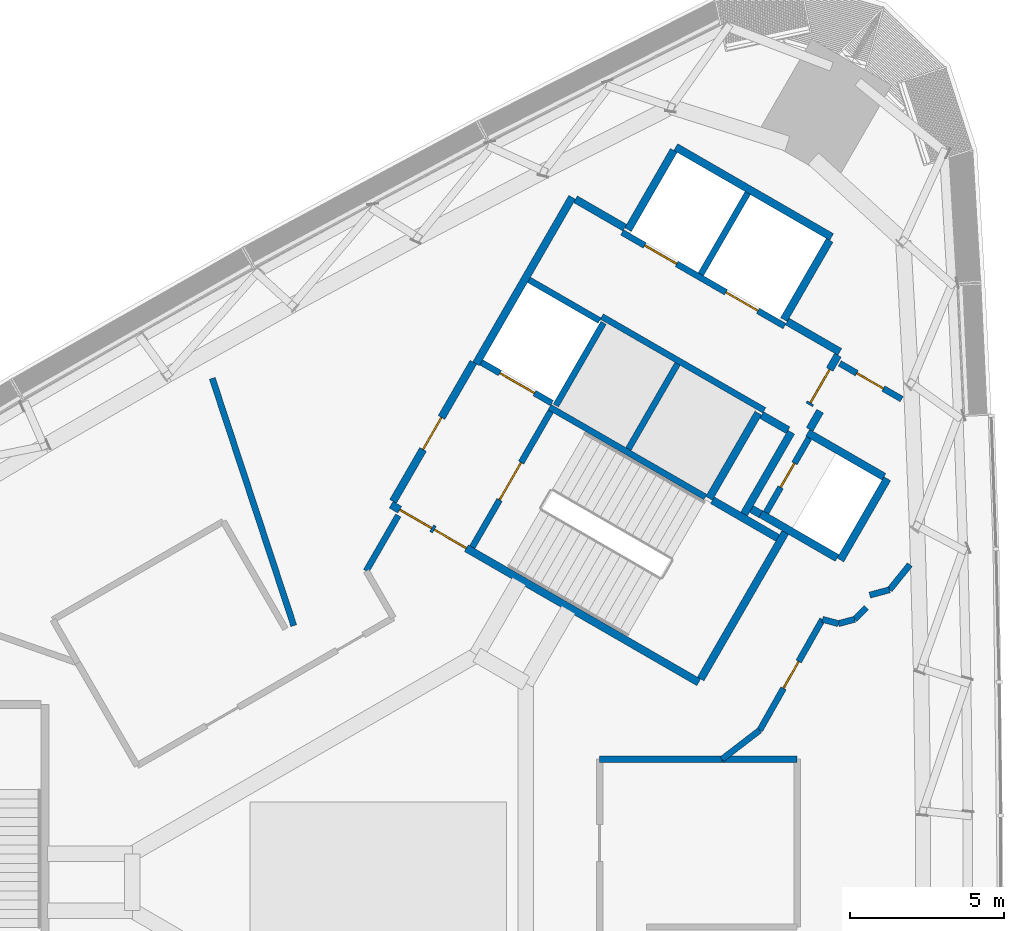
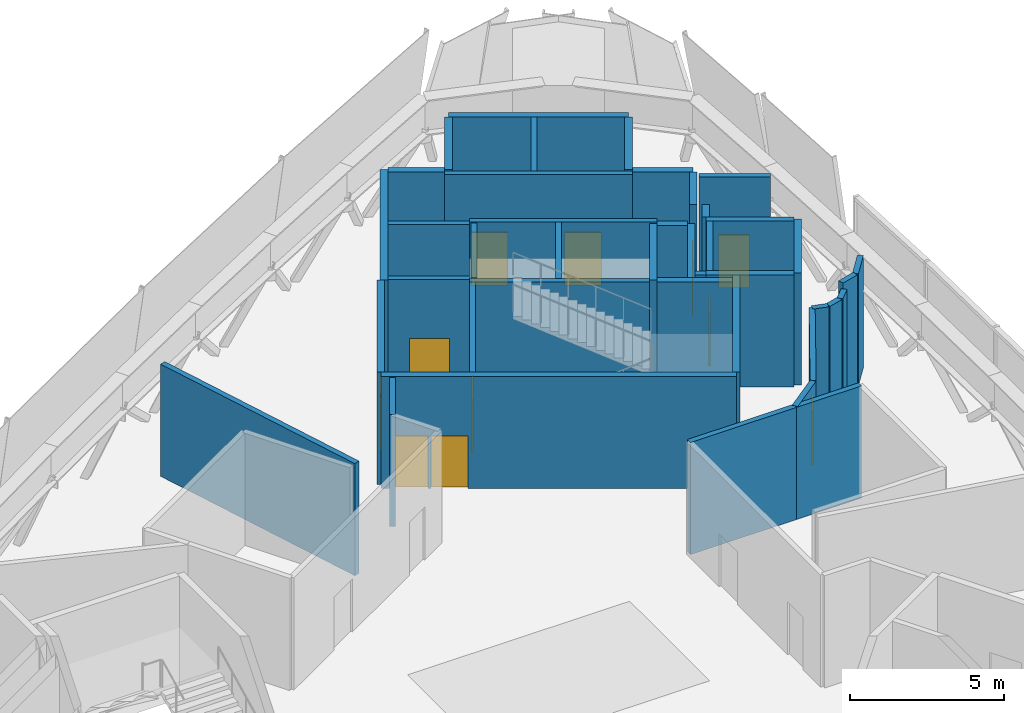
# One storey, part 12 of 18: 41 walls, 11 doors, 11 openings.
"""IFC4 building model written with IfcOpenShell, lengths in metres."""

import ifcopenshell
import ifcopenshell.guid

model = None  # the IFC model being written
_history = None  # IfcOwnerHistory: only IFC2X3 demands one
_inside = {}  # id of a spatial element -> (the spatial element, [elements in it])
_under = {}  # id of a project, library or spatial element -> (it, [spatial elements below it])
_declared = {}  # id of a project -> (the project, [libraries it declares])
_typed = {}  # id of a type object -> (the type object, [elements of that type])
_made_of = {}  # id of a material, layer set ... -> (it, [elements and type objects made of it])


def new_model(schema):
    """Start an empty IFC model of exactly this schema.

    Asked for "IFC4X3", IfcOpenShell would pick the latest addendum, in which some entities
    have other attributes; the version numbers below select the first issue.
    IFC2X3 requires an IfcOwnerHistory on every rooted entity: one is made here for all.
    """
    global model, _history
    if schema == "IFC4X3":
        model = ifcopenshell.file(schema_version=(4, 3, 0, 0))
    else:
        model = ifcopenshell.file(schema=schema)
    _inside.clear()
    _under.clear()
    _declared.clear()
    _typed.clear()
    _made_of.clear()
    _history = None
    if model.schema == "IFC2X3":
        org = make("IfcOrganization", Name="unknown")
        user = make(
            "IfcPersonAndOrganization",
            ThePerson=make("IfcPerson", FamilyName="unknown"),
            TheOrganization=org,
        )
        app = make(
            "IfcApplication",
            ApplicationDeveloper=org,
            Version="unknown",
            ApplicationFullName="unknown",
            ApplicationIdentifier="unknown",
        )
        _history = make(
            "IfcOwnerHistory",
            OwningUser=user,
            OwningApplication=app,
            ChangeAction="ADDED",
            CreationDate=0,
        )
    return model


def make(cls, **values):
    """One entity of the class cls with the attributes given. An attribute that is None is left unset."""
    return model.create_entity(
        cls, **{name: value for name, value in values.items() if value is not None}
    )


def rooted(cls, **values):
    """An entity with a GlobalId (a new one), such as an element, a storey or a relation."""
    return make(cls, GlobalId=ifcopenshell.guid.new(), OwnerHistory=_history, **values)


def si_unit(unit_type, name, prefix=None):
    """IfcSIUnit, for example si_unit("LENGTHUNIT", "METRE", prefix="MILLI")."""
    return make("IfcSIUnit", UnitType=unit_type, Prefix=prefix, Name=name)


def assignment(units):
    """IfcUnitAssignment: the units of a project."""
    return None if units is None else make("IfcUnitAssignment", Units=units)


def point(xyz):
    """IfcCartesianPoint."""
    return None if xyz is None else make("IfcCartesianPoint", Coordinates=xyz)


def direction(xyz):
    """IfcDirection."""
    return None if xyz is None else make("IfcDirection", DirectionRatios=xyz)


def frame(location, z_axis=None, x_axis=None):
    """IfcAxis2Placement3D, a coordinate frame: its origin and axes. An axis left out is left unset."""
    return make(
        "IfcAxis2Placement3D",
        Location=point(location),
        Axis=direction(z_axis),
        RefDirection=direction(x_axis),
    )


def frame_2d(location, x_axis=None):
    """IfcAxis2Placement2D, a coordinate frame in the plane: its origin and x axis."""
    return make(
        "IfcAxis2Placement2D", Location=point(location), RefDirection=direction(x_axis)
    )


def origin():
    """The frame at (0, 0, 0) with its axes left unset."""
    return frame((0.0, 0.0, 0.0))


def place(relative_to, where):
    """IfcLocalPlacement: puts the frame where relative to a parent placement (None: the world)."""
    return make(
        "IfcLocalPlacement", PlacementRelTo=relative_to, RelativePlacement=where
    )


def context(
    kind, dimensions, precision=None, world=None, true_north=None, identifier=None
):
    """IfcGeometricRepresentationContext, for example the 3D "Model" context."""
    return make(
        "IfcGeometricRepresentationContext",
        ContextIdentifier=identifier,
        ContextType=kind,
        CoordinateSpaceDimension=dimensions,
        Precision=precision,
        WorldCoordinateSystem=world,
        TrueNorth=true_north,
    )


def subcontext(parent, identifier, kind, view, scale=None):
    """IfcGeometricRepresentationSubContext, for example "Body" below "Model"."""
    return make(
        "IfcGeometricRepresentationSubContext",
        ContextIdentifier=identifier,
        ContextType=kind,
        ParentContext=parent,
        TargetScale=scale,
        TargetView=view,
    )


def project(units=None, contexts=None):
    """IfcProject with its units and contexts."""
    return rooted(
        "IfcProject",
        Name="project",
        RepresentationContexts=contexts,
        UnitsInContext=assignment(units),
    )


def spatial(cls, under=None, at=None, **own):
    """A site, building, storey or space (cls), placed at a placement, below another one or the project."""
    s = rooted(cls, ObjectPlacement=at, **own)
    if under is not None:
        _under.setdefault(under.id(), (under, []))[1].append(s)
    return s


def profile(cls, at=None, kind="AREA", **sizes):
    """A parametric profile (cls). Its sizes go by their IFC names, for example OverallWidth=200.0."""
    return make(cls, ProfileType=kind, Position=at, **sizes)


def rectangle(**sizes):
    """IfcRectangleProfileDef."""
    return profile("IfcRectangleProfileDef", **sizes)


def extrude(swept, where, along, depth):
    """IfcExtrudedAreaSolid: the profile swept, set in the frame where, extruded along a direction by depth."""
    return make(
        "IfcExtrudedAreaSolid",
        SweptArea=swept,
        Position=where,
        ExtrudedDirection=direction(along),
        Depth=depth,
    )


def shape(context_of_items, identifier, shape_type, items):
    """IfcShapeRepresentation: the items that make up one representation, for example the "Body"."""
    return make(
        "IfcShapeRepresentation",
        ContextOfItems=context_of_items,
        RepresentationIdentifier=identifier,
        RepresentationType=shape_type,
        Items=items,
    )


def material(Name=None, Category=None):
    """IfcMaterial."""
    return make("IfcMaterial", Name=Name, Category=Category)


def layer(
    of_material, thickness, ventilated=None, Name=None, Category=None, Priority=None
):
    """IfcMaterialLayer: one layer of a wall or slab, of a material (None: an air gap)."""
    return make(
        "IfcMaterialLayer",
        Material=of_material,
        LayerThickness=thickness,
        IsVentilated=ventilated,
        Name=Name,
        Category=Category,
        Priority=Priority,
    )


def layer_set(layers, Name=None):
    """IfcMaterialLayerSet."""
    return make("IfcMaterialLayerSet", MaterialLayers=layers, LayerSetName=Name)


def made_of(thing, what):
    """Note that an element or type object is made of a material, layer set ...; save() writes the relation."""
    if what is not None:
        _made_of.setdefault(what.id(), (what, []))[1].append(thing)
    return thing


def type_object(cls, material=None, **own):
    """A type object (cls), such as IfcWallType, which elements share."""
    return made_of(rooted(cls, **own), material)


def element(
    cls,
    number,
    at=None,
    inside=None,
    cuts=None,
    type_object=None,
    material=None,
    context=None,
    identifier="Body",
    shape_type=None,
    held_by="IfcProductDefinitionShape",
    body=None,
    shapes=None,
    **own,
):
    """One element of the class cls, such as IfcWall. Its Tag is "e" and its number.

    at: its placement. inside: the storey or other place that contains it. cuts: it is an
    opening in that element (IfcRelVoidsElement). A single representation is given by context,
    identifier, shape_type and body (its items); several are given by shapes. held_by: the class
    of the entity that holds the representations. save() writes the other relations.
    """
    e = rooted(cls, Tag="e%d" % number, ObjectPlacement=at, **own)
    if body is not None:
        shapes = [shape(context, identifier, shape_type, body)]
    if shapes is not None:
        e.Representation = make(held_by, Representations=shapes)
    if inside is not None:
        _inside.setdefault(inside.id(), (inside, []))[1].append(e)
    if cuts is not None:
        rooted(
            "IfcRelVoidsElement", RelatingBuildingElement=cuts, RelatedOpeningElement=e
        )
    if type_object is not None:
        _typed.setdefault(type_object.id(), (type_object, []))[1].append(e)
    return made_of(e, material)


def fill(opening, filler):
    """IfcRelFillsElement: the door or window that sits in an opening."""
    return rooted(
        "IfcRelFillsElement",
        RelatingOpeningElement=opening,
        RelatedBuildingElement=filler,
    )


def aggregate(whole, parts):
    """IfcRelAggregates: a whole, such as a stair, and the parts it consists of."""
    return rooted("IfcRelAggregates", RelatingObject=whole, RelatedObjects=parts)


def save(model, path):
    """Write the relations noted so far, then the file.

    IfcRelAggregates (storeys below a building ...), IfcRelContainedInSpatialStructure (elements
    in a storey), IfcRelDefinesByType, IfcRelAssociatesMaterial and IfcRelDeclares: one each for
    every whole, place, type object, material and project.
    """
    for whole, parts in _under.values():
        aggregate(whole, parts)
    for where, things in _inside.values():
        rooted(
            "IfcRelContainedInSpatialStructure",
            RelatedElements=things,
            RelatingStructure=where,
        )
    for kind, things in _typed.values():
        rooted("IfcRelDefinesByType", RelatedObjects=things, RelatingType=kind)
    for what, things in _made_of.values():
        rooted("IfcRelAssociatesMaterial", RelatedObjects=things, RelatingMaterial=what)
    for by, libraries in _declared.values():
        rooted("IfcRelDeclares", RelatingContext=by, RelatedDefinitions=libraries)
    model.write(path)


model = new_model("IFC4")

# Units and contexts
model_context = context("Model", 3, precision=1e-05, world=origin(), true_north=direction((0.0, 1.0)))
body_context = subcontext(model_context, "Body", "Model", "MODEL_VIEW")
ifc_project = project(units=[si_unit("LENGTHUNIT", "METRE"), si_unit("AREAUNIT", "SQUARE_METRE"), si_unit("VOLUMEUNIT", "CUBIC_METRE"), si_unit("PLANEANGLEUNIT", "RADIAN"), si_unit("MASSUNIT", "GRAM", prefix="KILO")], contexts=[model_context])

# Site, building, storey
site_placement = place(None, origin())
site = spatial("IfcSite", under=ifc_project, at=site_placement, CompositionType="ELEMENT")
building_placement = place(site_placement, origin())
building = spatial("IfcBuilding", under=site, at=building_placement, Name="Tamra Quay Hotel Tower", CompositionType="ELEMENT")
storey_placement = place(building_placement, frame((0.0, 0.0, 164.800048828125)))
storey = spatial("IfcBuildingStorey", under=building, at=storey_placement, Name="L41", CompositionType="ELEMENT", Elevation=164.800048828125)

# Wall, openings, doors
ifc_material_1 = material(Name="Concrete M70", Category="concrete")
ifc_layer_1 = layer(ifc_material_1, 0.199951171875)
ifc_layer_set_1 = layer_set([ifc_layer_1], Name="Concrete M70 core wall 200")
wall_type_1 = type_object("IfcWallType", Name="Concrete M70 core wall 200", PredefinedType="SHEAR", material=ifc_layer_set_1)
wall_1_placement = place(storey_placement, frame((13.209716796875, 18.07958984375, 0.0), z_axis=(0.0, 0.0, 1.0), x_axis=(-0.866030299012, 0.499991521122, 0.0)))
wall_1 = element("IfcWall", 1, at=wall_1_placement, inside=storey, type_object=wall_type_1, Name="CW2", PredefinedType="SHEAR", context=body_context, shape_type="SweptSolid", body=[
    extrude(rectangle(XDim=6.10009765625, YDim=0.199951171875, at=frame_2d((3.050048828125, 0.0))), origin(), (0.0, 0.0, 1.0), 4.449951171875),
])
opening_1_placement = place(wall_1_placement, frame((1.0, 0.0, 0.0)))
opening_1 = element("IfcOpeningElement", 2, at=opening_1_placement, cuts=wall_1, Name="Opening LD", PredefinedType="OPENING", context=body_context, shape_type="SweptSolid", body=[
    extrude(rectangle(XDim=1.199951171875, YDim=2.10009765625, at=frame_2d((0.60009765625, 1.050048828125))), frame((0.0, 0.10986328125, 0.0), z_axis=(0.0, -1.0, 0.0), x_axis=(1.0, 0.0, 0.0)), (0.0, 0.0, 1.0), 0.219970703125),
])
opening_2_placement = place(wall_1_placement, frame((4.05029296875, 0.0, 0.0)))
opening_2 = element("IfcOpeningElement", 3, at=opening_2_placement, cuts=wall_1, Name="Opening LD", PredefinedType="OPENING", context=body_context, shape_type="SweptSolid", body=[
    extrude(rectangle(XDim=1.199951171875, YDim=2.10009765625, at=frame_2d((0.60009765625, 1.050048828125))), frame((0.0, 0.10986328125, 0.0), z_axis=(0.0, -1.0, 0.0), x_axis=(1.0, 0.0, 0.0)), (0.0, 0.0, 1.0), 0.219970703125),
])
ifc_material_2 = material(Name="Landing door LD 1200 double door sliding")
door_type_1 = type_object("IfcDoorType", Name="Landing door LD 1200 double door sliding", OperationType="DOUBLE_DOOR_SLIDING", PredefinedType="DOOR", material=ifc_material_2)
door_1_placement = place(opening_1_placement, origin())
door_1 = element("IfcDoor", 4, at=door_1_placement, inside=storey, type_object=door_type_1, Name="LD", OperationType="DOUBLE_DOOR_SLIDING", OverallHeight=2.10009765625, OverallWidth=1.199951171875, PredefinedType="DOOR", context=body_context, shape_type="SweptSolid", body=[
    extrude(rectangle(XDim=1.199951171875, YDim=2.10009765625, at=frame_2d((0.60009765625, 1.050048828125))), frame((0.0, 0.02490234375, 0.0), z_axis=(0.0, -1.0, 0.0), x_axis=(1.0, 0.0, 0.0)), (0.0, 0.0, 1.0), 0.050048828125),
])
fill(opening_1, door_1)
door_2_placement = place(opening_2_placement, origin())
door_2 = element("IfcDoor", 5, at=door_2_placement, inside=storey, type_object=door_type_1, Name="LD", OperationType="DOUBLE_DOOR_SLIDING", OverallHeight=2.10009765625, OverallWidth=1.199951171875, PredefinedType="DOOR", context=body_context, shape_type="SweptSolid", body=[
    extrude(rectangle(XDim=1.199951171875, YDim=2.10009765625, at=frame_2d((0.60009765625, 1.050048828125))), frame((0.0, 0.02490234375, 0.0), z_axis=(0.0, -1.0, 0.0), x_axis=(1.0, 0.0, 0.0)), (0.0, 0.0, 1.0), 0.050048828125),
])
fill(opening_2, door_2)

# Walls
wall_2_placement = place(storey_placement, frame((12.552490234375, 15.341552734375, 0.0), z_axis=(0.0, 0.0, 1.0), x_axis=(-0.866030299012, 0.499991521122, 0.0)))
element("IfcWall", 6, at=wall_2_placement, inside=storey, type_object=wall_type_1, Name="CW2", PredefinedType="SHEAR", context=body_context, shape_type="SweptSolid", body=[
    extrude(rectangle(XDim=6.10009765625, YDim=0.199951171875, at=frame_2d((3.050048828125, 0.0))), origin(), (0.0, 0.0, 1.0), 4.449951171875),
])
wall_3_placement = place(storey_placement, frame((10.636474609375, 12.521484375, 0.0), z_axis=(0.0, 0.0, 1.0), x_axis=(-0.866013252188, 0.500021046592, 0.0)))
element("IfcWall", 7, at=wall_3_placement, inside=storey, type_object=wall_type_1, Name="CW2", PredefinedType="SHEAR", context=body_context, shape_type="SweptSolid", body=[
    extrude(rectangle(XDim=5.850830078125, YDim=0.199951171875, at=frame_2d((2.92529296875, 0.0))), origin(), (0.0, 0.0, 1.0), 4.449951171875),
])

# Wall, opening, door
wall_4_placement = place(storey_placement, frame((3.056640625, 10.89453125, 0.0), z_axis=(0.0, 0.0, 1.0), x_axis=(0.500027839223, 0.866009330205, 0.0)))
wall_4 = element("IfcWall", 8, at=wall_4_placement, inside=storey, type_object=wall_type_1, Name="CW2", PredefinedType="SHEAR", context=body_context, shape_type="SweptSolid", body=[
    extrude(rectangle(XDim=5.097900390625, YDim=0.199951171875, at=frame_2d((2.548828125, 0.0))), origin(), (0.0, 0.0, 1.0), 4.449951171875),
])
opening_3_placement = place(wall_4_placement, frame((1.77392578125, 0.0, 0.0)))
opening_3 = element("IfcOpeningElement", 9, at=opening_3_placement, cuts=wall_4, Name="Opening FD2", PredefinedType="OPENING", context=body_context, shape_type="SweptSolid", body=[
    extrude(rectangle(XDim=1.39990234375, YDim=2.10009765625, at=frame_2d((0.699951171875, 1.050048828125))), frame((0.0, 0.10986328125, 0.0), z_axis=(0.0, -1.0, 0.0), x_axis=(1.0, 0.0, 0.0)), (0.0, 0.0, 1.0), 0.219970703125),
])
ifc_material_3 = material(Name="Core door FD2 1400x2100 RH")
door_type_2 = type_object("IfcDoorType", Name="Core door FD2 1400x2100 RH", OperationType="NOTDEFINED", PredefinedType="DOOR", material=ifc_material_3)
door_3_placement = place(opening_3_placement, origin())
door_3 = element("IfcDoor", 10, at=door_3_placement, inside=storey, type_object=door_type_2, Name="FD2", OperationType="SINGLE_SWING_RIGHT", OverallHeight=2.10009765625, OverallWidth=1.39990234375, PredefinedType="DOOR", context=body_context, shape_type="SweptSolid", body=[
    extrude(rectangle(XDim=1.39990234375, YDim=2.10009765625, at=frame_2d((0.699951171875, 1.050048828125))), frame((0.0, 0.02490234375, 0.0), z_axis=(0.0, -1.0, 0.0), x_axis=(1.0, 0.0, 0.0)), (0.0, 0.0, 1.0), 0.050048828125),
])
fill(opening_3, door_3)

# Walls
wall_5_placement = place(storey_placement, frame((8.131591796875, 14.08447265625, 0.0), z_axis=(0.0, 0.0, 1.0), x_axis=(0.500030834389, 0.86600760081, 0.0)))
element("IfcWall", 11, at=wall_5_placement, inside=storey, type_object=wall_type_1, Name="CW2", PredefinedType="SHEAR", context=body_context, shape_type="SweptSolid", body=[
    extrude(rectangle(XDim=3.197998046875, YDim=0.199951171875, at=frame_2d((1.59912109375, 0.0))), origin(), (0.0, 0.0, 1.0), 4.449951171875),
])
wall_6_placement = place(storey_placement, frame((10.48876953125, 19.76708984375, 0.0), z_axis=(0.0, 0.0, 1.0), x_axis=(0.499946628782, 0.866056215479, 0.0)))
element("IfcWall", 12, at=wall_6_placement, inside=storey, type_object=wall_type_1, Name="CW2", PredefinedType="SHEAR", context=body_context, shape_type="SweptSolid", body=[
    extrude(rectangle(XDim=3.048095703125, YDim=0.199951171875, at=frame_2d((1.52392578125, 0.0))), origin(), (0.0, 0.0, 1.0), 4.449951171875),
])

# Wall, opening, door
wall_7_placement = place(storey_placement, frame((14.0078125, 14.442138671875, 0.0), z_axis=(0.0, 0.0, 1.0), x_axis=(-0.499986818241, -0.866033014143, 0.0)))
wall_7 = element("IfcWall", 13, at=wall_7_placement, inside=storey, type_object=wall_type_1, Name="CW2", PredefinedType="SHEAR", context=body_context, shape_type="SweptSolid", body=[
    extrude(rectangle(XDim=2.7978515625, YDim=0.199951171875, at=frame_2d((1.39892578125, 0.0))), origin(), (0.0, 0.0, 1.0), 4.449951171875),
])
opening_4_placement = place(wall_7_placement, frame((0.948974609375, 0.0, 0.0)))
opening_4 = element("IfcOpeningElement", 14, at=opening_4_placement, cuts=wall_7, Name="Opening D1", PredefinedType="OPENING", context=body_context, shape_type="SweptSolid", body=[
    extrude(rectangle(XDim=0.89990234375, YDim=2.10009765625, at=frame_2d((0.449951171875, 1.050048828125))), frame((0.0, 0.10986328125, 0.0), z_axis=(0.0, -1.0, 0.0), x_axis=(1.0, 0.0, 0.0)), (0.0, 0.0, 1.0), 0.219970703125),
])
ifc_material_4 = material(Name="Core door D1 900x2100 LH")
door_type_3 = type_object("IfcDoorType", Name="Core door D1 900x2100 LH", OperationType="NOTDEFINED", PredefinedType="DOOR", material=ifc_material_4)
door_4_placement = place(opening_4_placement, origin())
door_4 = element("IfcDoor", 15, at=door_4_placement, inside=storey, type_object=door_type_3, Name="D1", OperationType="SINGLE_SWING_LEFT", OverallHeight=2.10009765625, OverallWidth=0.89990234375, PredefinedType="DOOR", context=body_context, shape_type="SweptSolid", body=[
    extrude(rectangle(XDim=0.89990234375, YDim=2.10009765625, at=frame_2d((0.449951171875, 1.050048828125))), frame((0.0, 0.02490234375, 0.0), z_axis=(0.0, -1.0, 0.0), x_axis=(1.0, 0.0, 0.0)), (0.0, 0.0, 1.0), 0.050048828125),
])
fill(opening_4, door_4)

# Wall
wall_8_placement = place(storey_placement, frame((7.324462890625, 18.1865234375, 0.0), z_axis=(0.0, 0.0, 1.0), x_axis=(-0.499967891604, -0.866043940782, 0.0)))
element("IfcWall", 16, at=wall_8_placement, inside=storey, type_object=wall_type_1, Name="CW2", PredefinedType="SHEAR", context=body_context, shape_type="SweptSolid", body=[
    extrude(rectangle(XDim=3.099853515625, YDim=0.199951171875, at=frame_2d((1.5498046875, 0.0))), origin(), (0.0, 0.0, 1.0), 4.449951171875),
])

# Wall, opening, door
wall_9_placement = place(storey_placement, frame((5.646240234375, 15.575927734375, 0.0), z_axis=(0.0, 0.0, 1.0), x_axis=(-0.866018407898, 0.500012117035, 0.0)))
wall_9 = element("IfcWall", 17, at=wall_9_placement, inside=storey, type_object=wall_type_1, Name="CW2", PredefinedType="SHEAR", context=body_context, shape_type="SweptSolid", body=[
    extrude(rectangle(XDim=2.65087890625, YDim=0.199951171875, at=frame_2d((1.325439453125, 0.0))), origin(), (0.0, 0.0, 1.0), 4.449951171875),
])
opening_5_placement = place(wall_9_placement, frame((0.65185546875, 0.0, 0.0)))
opening_5 = element("IfcOpeningElement", 18, at=opening_5_placement, cuts=wall_9, Name="Opening LD", PredefinedType="OPENING", context=body_context, shape_type="SweptSolid", body=[
    extrude(rectangle(XDim=1.300048828125, YDim=2.10009765625, at=frame_2d((0.64990234375, 1.050048828125))), frame((0.0, 0.10986328125, 0.0), z_axis=(0.0, -1.0, 0.0), x_axis=(1.0, 0.0, 0.0)), (0.0, 0.0, 1.0), 0.219970703125),
])
ifc_material_5 = material(Name="Landing door LD 1300 sliding to right")
door_type_4 = type_object("IfcDoorType", Name="Landing door LD 1300 sliding to right", OperationType="NOTDEFINED", PredefinedType="DOOR", material=ifc_material_5)
door_5_placement = place(opening_5_placement, origin())
door_5 = element("IfcDoor", 19, at=door_5_placement, inside=storey, type_object=door_type_4, Name="LD", OperationType="SLIDING_TO_RIGHT", OverallHeight=2.10009765625, OverallWidth=1.300048828125, PredefinedType="DOOR", context=body_context, shape_type="SweptSolid", body=[
    extrude(rectangle(XDim=1.300048828125, YDim=2.10009765625, at=frame_2d((0.64990234375, 1.050048828125))), frame((0.0, 0.02490234375, 0.0), z_axis=(0.0, -1.0, 0.0), x_axis=(1.0, 0.0, 0.0)), (0.0, 0.0, 1.0), 0.050048828125),
])
fill(opening_5, door_5)

# Wall
wall_10_placement = place(storey_placement, frame((7.1962890625, 18.260498046875, 0.0), z_axis=(0.0, 0.0, 1.0), x_axis=(-0.866018407898, 0.500012117035, 0.0)))
element("IfcWall", 20, at=wall_10_placement, inside=storey, type_object=wall_type_1, Name="CW2", PredefinedType="SHEAR", context=body_context, shape_type="SweptSolid", body=[
    extrude(rectangle(XDim=2.65087890625, YDim=0.199951171875, at=frame_2d((1.325439453125, 0.0))), origin(), (0.0, 0.0, 1.0), 4.449951171875),
])

# Wall, openings, doors
ifc_layer_2 = layer(ifc_material_1, 0.25)
ifc_layer_set_2 = layer_set([ifc_layer_2], Name="Concrete M70 core wall 250")
wall_type_2 = type_object("IfcWallType", Name="Concrete M70 core wall 250", PredefinedType="SHEAR", material=ifc_layer_set_2)
wall_11_placement = place(storey_placement, frame((10.419921875, 6.497802734375, 0.0), z_axis=(0.0, 0.0, 1.0), x_axis=(-0.866021906294, 0.500006057782, 0.0)))
wall_11 = element("IfcWall", 21, at=wall_11_placement, inside=storey, type_object=wall_type_2, Name="CW1", PredefinedType="SHEAR", context=body_context, shape_type="SweptSolid", body=[
    extrude(rectangle(XDim=11.550048828125, YDim=0.25, at=frame_2d((5.77490234375, 0.0))), origin(), (0.0, 0.0, 1.0), 4.449951171875),
])
opening_6_placement = place(wall_11_placement, frame((10.02490234375, 0.0, 0.0)))
opening_6 = element("IfcOpeningElement", 22, at=opening_6_placement, cuts=wall_11, Name="Opening FD1", PredefinedType="OPENING", context=body_context, shape_type="SweptSolid", body=[
    extrude(rectangle(XDim=1.199951171875, YDim=2.10009765625, at=frame_2d((0.60009765625, 1.050048828125))), frame((0.0, 0.135009765625, 0.0), z_axis=(0.0, -1.0, 0.0), x_axis=(1.0, 0.0, 0.0)), (0.0, 0.0, 1.0), 0.27001953125),
])
opening_7_placement = place(wall_11_placement, frame((8.724853515625, 0.0, 0.0)))
opening_7 = element("IfcOpeningElement", 23, at=opening_7_placement, cuts=wall_11, Name="Opening FD1", PredefinedType="OPENING", context=body_context, shape_type="SweptSolid", body=[
    extrude(rectangle(XDim=1.199951171875, YDim=2.10009765625, at=frame_2d((0.60009765625, 1.050048828125))), frame((0.0, 0.135009765625, 0.0), z_axis=(0.0, -1.0, 0.0), x_axis=(1.0, 0.0, 0.0)), (0.0, 0.0, 1.0), 0.27001953125),
])
ifc_material_6 = material(Name="Core door FD1 1200x2100 LH")
door_type_5 = type_object("IfcDoorType", Name="Core door FD1 1200x2100 LH", OperationType="NOTDEFINED", PredefinedType="DOOR", material=ifc_material_6)
door_6_placement = place(opening_6_placement, origin())
door_6 = element("IfcDoor", 24, at=door_6_placement, inside=storey, type_object=door_type_5, Name="FD1", OperationType="SINGLE_SWING_LEFT", OverallHeight=2.10009765625, OverallWidth=1.199951171875, PredefinedType="DOOR", context=body_context, shape_type="SweptSolid", body=[
    extrude(rectangle(XDim=1.199951171875, YDim=2.10009765625, at=frame_2d((0.60009765625, 1.050048828125))), frame((0.0, 0.02490234375, 0.0), z_axis=(0.0, -1.0, 0.0), x_axis=(1.0, 0.0, 0.0)), (0.0, 0.0, 1.0), 0.050048828125),
])
fill(opening_6, door_6)
ifc_material_7 = material(Name="Core door FD1 1200x2100 RH")
door_type_6 = type_object("IfcDoorType", Name="Core door FD1 1200x2100 RH", OperationType="NOTDEFINED", PredefinedType="DOOR", material=ifc_material_7)
door_7_placement = place(opening_7_placement, origin())
door_7 = element("IfcDoor", 25, at=door_7_placement, inside=storey, type_object=door_type_6, Name="FD1", OperationType="SINGLE_SWING_RIGHT", OverallHeight=2.10009765625, OverallWidth=1.199951171875, PredefinedType="DOOR", context=body_context, shape_type="SweptSolid", body=[
    extrude(rectangle(XDim=1.199951171875, YDim=2.10009765625, at=frame_2d((0.60009765625, 1.050048828125))), frame((0.0, 0.02490234375, 0.0), z_axis=(0.0, -1.0, 0.0), x_axis=(1.0, 0.0, 0.0)), (0.0, 0.0, 1.0), 0.050048828125),
])
fill(opening_7, door_7)

# Walls
wall_12_placement = place(storey_placement, frame((3.178955078125, 16.856201171875, 0.0), z_axis=(0.0, 0.0, 1.0), x_axis=(0.500004234368, 0.866022959057, 0.0)))
element("IfcWall", 26, at=wall_12_placement, inside=storey, type_object=wall_type_2, Name="CW1", PredefinedType="SHEAR", context=body_context, shape_type="SweptSolid", body=[
    extrude(rectangle(XDim=6.25, YDim=0.25, at=frame_2d((3.125, 0.0))), origin(), (0.0, 0.0, 1.0), 4.449951171875),
])
wall_13_placement = place(storey_placement, frame((9.672607421875, 23.9033203125, 0.0), z_axis=(0.0, 0.0, 1.0), x_axis=(0.86603616409, -0.499981362141, 0.0)))
element("IfcWall", 27, at=wall_13_placement, inside=storey, type_object=wall_type_2, Name="CW1", PredefinedType="SHEAR", context=body_context, shape_type="SweptSolid", body=[
    extrude(rectangle(XDim=5.849853515625, YDim=0.25, at=frame_2d((2.9248046875, 0.0))), origin(), (0.0, 0.0, 1.0), 4.449951171875),
])

# Wall, opening, door
wall_14_placement = place(storey_placement, frame((0.47998046875, 12.38134765625, 0.0), z_axis=(0.0, 0.0, 1.0), x_axis=(0.49999885962, 0.866026062182, 0.0)))
wall_14 = element("IfcWall", 28, at=wall_14_placement, inside=storey, type_object=wall_type_2, Name="CW1", PredefinedType="SHEAR", context=body_context, shape_type="SweptSolid", body=[
    extrude(rectangle(XDim=5.224609375, YDim=0.25, at=frame_2d((2.6123046875, 0.0))), origin(), (0.0, 0.0, 1.0), 4.449951171875),
])
opening_8_placement = place(wall_14_placement, frame((1.94970703125, 0.0, 0.0)))
opening_8 = element("IfcOpeningElement", 29, at=opening_8_placement, cuts=wall_14, Name="Opening D2", PredefinedType="OPENING", context=body_context, shape_type="SweptSolid", body=[
    extrude(rectangle(XDim=1.199951171875, YDim=2.10009765625, at=frame_2d((0.60009765625, 1.050048828125))), frame((0.0, 0.135009765625, 0.0), z_axis=(0.0, -1.0, 0.0), x_axis=(1.0, 0.0, 0.0)), (0.0, 0.0, 1.0), 0.27001953125),
])
ifc_material_8 = material(Name="Core door D2 1200x2100 LH")
door_type_7 = type_object("IfcDoorType", Name="Core door D2 1200x2100 LH", OperationType="NOTDEFINED", PredefinedType="DOOR", material=ifc_material_8)
door_8_placement = place(opening_8_placement, origin())
door_8 = element("IfcDoor", 30, at=door_8_placement, inside=storey, type_object=door_type_7, Name="D2", OperationType="SINGLE_SWING_LEFT", OverallHeight=2.10009765625, OverallWidth=1.199951171875, PredefinedType="DOOR", context=body_context, shape_type="SweptSolid", body=[
    extrude(rectangle(XDim=1.199951171875, YDim=2.10009765625, at=frame_2d((0.60009765625, 1.050048828125))), frame((0.0, 0.02490234375, 0.0), z_axis=(0.0, -1.0, 0.0), x_axis=(1.0, 0.0, 0.0)), (0.0, 0.0, 1.0), 0.050048828125),
])
fill(opening_8, door_8)

# Walls
wall_15_placement = place(storey_placement, frame((13.237548828125, 11.3779296875, 0.0), z_axis=(0.0, 0.0, 1.0), x_axis=(-0.500008851346, -0.866020293397, 0.0)))
element("IfcWall", 31, at=wall_15_placement, inside=storey, type_object=wall_type_2, Name="CW1", PredefinedType="SHEAR", context=body_context, shape_type="SweptSolid", body=[
    extrude(rectangle(XDim=5.509765625, YDim=0.25, at=frame_2d((2.7548828125, 0.0))), origin(), (0.0, 0.0, 1.0), 4.449951171875),
])
wall_16_placement = place(storey_placement, frame((12.356689453125, 15.25244140625, 0.0), z_axis=(0.0, 0.0, 1.0), x_axis=(-0.500028443584, -0.866008981251, 0.0)))
element("IfcWall", 32, at=wall_16_placement, inside=storey, type_object=wall_type_2, Name="CW1", PredefinedType="SHEAR", context=body_context, shape_type="SweptSolid", body=[
    extrude(rectangle(XDim=3.199951171875, YDim=0.25, at=frame_2d((1.60009765625, 0.0))), origin(), (0.0, 0.0, 1.0), 4.449951171875),
])
for number, where, z_axis, x_axis, name in (
    (33, (8.12255859375, 21.21875, 0.0), (0.0, 0.0, 1.0), (0.499987686533, 0.866032512851, 0.0), "CW1"),
    (34, (14.67626953125, 20.869873046875, 0.0), (0.0, 0.0, 1.0), (-0.499987686533, -0.866032512851, 0.0), "CW1"),
):
    element("IfcWall", number, at=place(storey_placement, frame(where, z_axis=z_axis, x_axis=x_axis)), inside=storey, type_object=wall_type_2, Name=name, PredefinedType="SHEAR", context=body_context, shape_type="SweptSolid", body=[
        extrude(rectangle(XDim=2.974609375, YDim=0.25, at=frame_2d((1.4873046875, 0.0))), origin(), (0.0, 0.0, 1.0), 4.449951171875),
    ])
wall_17_placement = place(storey_placement, frame((16.552001953125, 13.118896484375, 0.0), z_axis=(0.0, 0.0, 1.0), x_axis=(-0.499978833458, -0.866037623948, 0.0)))
element("IfcWall", 35, at=wall_17_placement, inside=storey, type_object=wall_type_2, Name="CW1", PredefinedType="SHEAR", context=body_context, shape_type="SweptSolid", body=[
    extrude(rectangle(XDim=3.050048828125, YDim=0.25, at=frame_2d((1.52490234375, 0.0))), origin(), (0.0, 0.0, 1.0), 4.449951171875),
])
wall_18_placement = place(storey_placement, frame((14.91845703125, 10.540283203125, 0.0), z_axis=(0.0, 0.0, 1.0), x_axis=(-0.866063538972, 0.499933942099, 0.0)))
element("IfcWall", 36, at=wall_18_placement, inside=storey, type_object=wall_type_2, Name="CW1", PredefinedType="SHEAR", context=body_context, shape_type="SweptSolid", body=[
    extrude(rectangle(XDim=2.86474609375, YDim=0.25, at=frame_2d((1.432373046875, 0.0))), origin(), (0.0, 0.0, 1.0), 4.449951171875),
])
wall_19_placement = place(storey_placement, frame((13.962646484375, 14.61376953125, 0.0), z_axis=(0.0, 0.0, 1.0), x_axis=(0.866042235819, -0.499970844928, 0.0)))
element("IfcWall", 37, at=wall_19_placement, inside=storey, type_object=wall_type_2, Name="CW1", PredefinedType="SHEAR", context=body_context, shape_type="SweptSolid", body=[
    extrude(rectangle(XDim=2.864501953125, YDim=0.25, at=frame_2d((1.43212890625, 0.0))), origin(), (0.0, 0.0, 1.0), 4.449951171875),
])
wall_20_placement = place(storey_placement, frame((11.887939453125, 11.960693359375, 0.0), z_axis=(0.0, 0.0, 1.0), x_axis=(0.500003324108, 0.866023484601, 0.0)))
element("IfcWall", 38, at=wall_20_placement, inside=storey, type_object=wall_type_2, Name="CW1", PredefinedType="SHEAR", context=body_context, shape_type="SweptSolid", body=[
    extrude(rectangle(XDim=3.0849609375, YDim=0.25, at=frame_2d((1.54248046875, 0.0))), origin(), (0.0, 0.0, 1.0), 4.449951171875),
])
wall_21_placement = place(storey_placement, frame((10.865234375, 12.41845703125, 0.0), z_axis=(0.0, 0.0, 1.0), x_axis=(0.866026229868, -0.499998569178, 0.0)))
element("IfcWall", 39, at=wall_21_placement, inside=storey, type_object=wall_type_2, Name="CW1", PredefinedType="SHEAR", context=body_context, shape_type="SweptSolid", body=[
    extrude(rectangle(XDim=2.44921875, YDim=0.25, at=frame_2d((1.224609375, 0.0))), origin(), (0.0, 0.0, 1.0), 4.449951171875),
])
wall_22_placement = place(storey_placement, frame((13.29736328125, 18.23095703125, 0.0), z_axis=(0.0, 0.0, 1.0), x_axis=(0.866043531843, -0.499968599967, 0.0)))
element("IfcWall", 40, at=wall_22_placement, inside=storey, type_object=wall_type_2, Name="CW1", PredefinedType="SHEAR", context=body_context, shape_type="SweptSolid", body=[
    extrude(rectangle(XDim=1.974853515625, YDim=0.25, at=frame_2d((0.9873046875, 0.0))), origin(), (0.0, 0.0, 1.0), 4.449951171875),
])
wall_23_placement = place(storey_placement, frame((6.41259765625, 22.2060546875, 0.0), z_axis=(0.0, 0.0, 1.0), x_axis=(0.866016279763, -0.500015802937, 0.0)))
element("IfcWall", 41, at=wall_23_placement, inside=storey, type_object=wall_type_2, Name="CW1", PredefinedType="SHEAR", context=body_context, shape_type="SweptSolid", body=[
    extrude(rectangle(XDim=1.84912109375, YDim=0.25, at=frame_2d((0.924560546875, 0.0))), origin(), (0.0, 0.0, 1.0), 4.449951171875),
])

# Wall, opening, door
wall_24_placement = place(storey_placement, frame((14.94482421875, 17.13525390625, 0.0), z_axis=(0.0, 0.0, 1.0), x_axis=(-0.499983108224, -0.866035156036, 0.0)))
wall_24 = element("IfcWall", 42, at=wall_24_placement, inside=storey, type_object=wall_type_2, Name="CW1", PredefinedType="SHEAR", context=body_context, shape_type="SweptSolid", body=[
    extrude(rectangle(XDim=1.86474609375, YDim=0.25, at=frame_2d((0.932373046875, 0.0))), origin(), (0.0, 0.0, 1.0), 4.449951171875),
])
opening_9_placement = place(wall_24_placement, frame((0.53466796875, 0.0, 0.0)))
opening_9 = element("IfcOpeningElement", 43, at=opening_9_placement, cuts=wall_24, Name="Opening FD3", PredefinedType="OPENING", context=body_context, shape_type="SweptSolid", body=[
    extrude(rectangle(XDim=1.25, YDim=2.10009765625, at=frame_2d((0.625, 1.050048828125))), frame((0.0, 0.135009765625, 0.0), z_axis=(0.0, -1.0, 0.0), x_axis=(1.0, 0.0, 0.0)), (0.0, 0.0, 1.0), 0.27001953125),
])
ifc_material_9 = material(Name="Core door FD3 1250x2100 LH")
door_type_8 = type_object("IfcDoorType", Name="Core door FD3 1250x2100 LH", OperationType="NOTDEFINED", PredefinedType="DOOR", material=ifc_material_9)
door_9_placement = place(opening_9_placement, origin())
door_9 = element("IfcDoor", 44, at=door_9_placement, inside=storey, type_object=door_type_8, Name="FD3", OperationType="SINGLE_SWING_LEFT", OverallHeight=2.10009765625, OverallWidth=1.25, PredefinedType="DOOR", context=body_context, shape_type="SweptSolid", body=[
    extrude(rectangle(XDim=1.25, YDim=2.10009765625, at=frame_2d((0.625, 1.050048828125))), frame((0.0, 0.02490234375, 0.0), z_axis=(0.0, -1.0, 0.0), x_axis=(1.0, 0.0, 0.0)), (0.0, 0.0, 1.0), 0.050048828125),
])
fill(opening_9, door_9)

# Walls
wall_25_placement = place(storey_placement, frame((13.322021484375, 14.695068359375, 0.0), z_axis=(0.0, 0.0, 1.0), x_axis=(-0.866017078145, 0.500014420154, 0.0)))
element("IfcWall", 45, at=wall_25_placement, inside=storey, type_object=wall_type_2, Name="CW1", PredefinedType="SHEAR", context=body_context, shape_type="SweptSolid", body=[
    extrude(rectangle(XDim=0.9892578125, YDim=0.25, at=frame_2d((0.49462890625, 0.0))), origin(), (0.0, 0.0, 1.0), 4.449951171875),
])
wall_26_placement = place(storey_placement, frame((14.36767578125, 15.3154296875, 0.0), z_axis=(0.0, 0.0, 1.0), x_axis=(-0.499897359611, -0.866084655132, 0.0)))
element("IfcWall", 46, at=wall_26_placement, inside=storey, type_object=wall_type_2, Name="CW1", PredefinedType="SHEAR", context=body_context, shape_type="SweptSolid", body=[
    extrude(rectangle(XDim=0.684814453125, YDim=0.25, at=frame_2d((0.34228515625, 0.0))), origin(), (0.0, 0.0, 1.0), 4.449951171875),
])
wall_27_placement = place(storey_placement, frame((12.4326171875, 11.9638671875, 0.0), z_axis=(0.0, 0.0, 1.0), x_axis=(-0.866055875208, 0.499947218231, 0.0)))
element("IfcWall", 47, at=wall_27_placement, inside=storey, type_object=wall_type_2, Name="CW1", PredefinedType="SHEAR", context=body_context, shape_type="SweptSolid", body=[
    extrude(rectangle(XDim=0.3447265625, YDim=0.25, at=frame_2d((0.17236328125, 0.0))), origin(), (0.0, 0.0, 1.0), 4.449951171875),
])
ifc_material_10 = material(Name="Partition corridor wall")
ifc_layer_3 = layer(ifc_material_10, 0.199951171875)
ifc_layer_set_3 = layer_set([ifc_layer_3], Name="Partition corridor wall")
wall_type_3 = type_object("IfcWallType", Name="Partition corridor wall", PredefinedType="PARTITIONING", material=ifc_layer_set_3)
wall_28_placement = place(storey_placement, frame((-0.39208984375, 10.12109375, 0.0), z_axis=(0.0, 0.0, 1.0), x_axis=(0.50017216111, 0.865925983702, 0.0)))
element("IfcWall", 48, at=wall_28_placement, inside=storey, type_object=wall_type_3, Name="W-C", PredefinedType="PARTITIONING", context=body_context, shape_type="SweptSolid", body=[
    extrude(rectangle(XDim=2.083251953125, YDim=0.199951171875, at=frame_2d((1.04150390625, 0.0))), origin(), (0.0, 0.0, 1.0), 4.449951171875),
])
wall_29_placement = place(storey_placement, frame((7.199951171875, 3.9970703125, 0.0), z_axis=(0.0, 0.0, 1.0), x_axis=(1.0, 0.0, 0.0)))
element("IfcWall", 49, at=wall_29_placement, inside=storey, type_object=wall_type_3, Name="W-C", PredefinedType="PARTITIONING", context=body_context, shape_type="SweptSolid", body=[
    extrude(rectangle(XDim=3.97607421875, YDim=0.199951171875, at=frame_2d((1.988037109375, 0.0))), origin(), (0.0, 0.0, 1.0), 4.449951171875),
])
wall_30_placement = place(storey_placement, frame((11.176025390625, 3.9970703125, 0.0), z_axis=(0.0, 0.0, 1.0), x_axis=(0.793245502763, 0.608901939845, 0.0)))
element("IfcWall", 50, at=wall_30_placement, inside=storey, type_object=wall_type_3, Name="W-C", PredefinedType="PARTITIONING", context=body_context, shape_type="SweptSolid", body=[
    extrude(rectangle(XDim=1.546875, YDim=0.199951171875, at=frame_2d((0.7734375, 0.0))), origin(), (0.0, 0.0, 1.0), 4.449951171875),
])

# Wall, opening, door
wall_31_placement = place(storey_placement, frame((12.403076171875, 4.93896484375, 0.0), z_axis=(0.0, 0.0, 1.0), x_axis=(0.492759848643, 0.870165347256, 0.0)))
wall_31 = element("IfcWall", 51, at=wall_31_placement, inside=storey, type_object=wall_type_3, Name="W-C", PredefinedType="PARTITIONING", context=body_context, shape_type="SweptSolid", body=[
    extrude(rectangle(XDim=4.14404296875, YDim=0.199951171875, at=frame_2d((2.072021484375, 0.0))), origin(), (0.0, 0.0, 1.0), 4.449951171875),
])
opening_10_placement = place(wall_31_placement, frame((1.570068359375, 0.0, 0.0)))
opening_10 = element("IfcOpeningElement", 52, at=opening_10_placement, cuts=wall_31, Name="Opening L41-D006", PredefinedType="OPENING", context=body_context, shape_type="SweptSolid", body=[
    extrude(rectangle(XDim=1.0, YDim=2.10009765625, at=frame_2d((0.5, 1.050048828125))), frame((0.0, 0.10986328125, 0.0), z_axis=(0.0, -1.0, 0.0), x_axis=(1.0, 0.0, 0.0)), (0.0, 0.0, 1.0), 0.219970703125),
])
ifc_material_11 = material(Name="Door service room 1000x2100")
door_type_9 = type_object("IfcDoorType", Name="Door service room 1000x2100", OperationType="NOTDEFINED", PredefinedType="DOOR", material=ifc_material_11)
door_10_placement = place(opening_10_placement, frame((1.0, 0.0, 0.0), z_axis=(0.0, 0.0, 1.0), x_axis=(-1.0, 0.0, 0.0)))
door_10 = element("IfcDoor", 53, at=door_10_placement, inside=storey, type_object=door_type_9, Name="L41-D006", OperationType="SINGLE_SWING_LEFT", OverallHeight=2.10009765625, OverallWidth=1.0, PredefinedType="DOOR", context=body_context, shape_type="SweptSolid", body=[
    extrude(rectangle(XDim=1.0, YDim=2.10009765625, at=frame_2d((0.5, 1.050048828125))), frame((0.0, 0.02490234375, 0.0), z_axis=(0.0, -1.0, 0.0), x_axis=(1.0, 0.0, 0.0)), (0.0, 0.0, 1.0), 0.050048828125),
])
fill(opening_10, door_10)

# Wall
wall_32_placement = place(storey_placement, frame((14.445068359375, 8.544921875, 0.0), z_axis=(0.0, 0.0, 1.0), x_axis=(0.965725783492, -0.259564464245, 0.0)))
element("IfcWall", 54, at=wall_32_placement, inside=storey, type_object=wall_type_3, Name="W-C", PredefinedType="PARTITIONING", context=body_context, shape_type="SweptSolid", body=[
    extrude(rectangle(XDim=0.53515625, YDim=0.199951171875, at=frame_2d((0.267578125, 0.0))), origin(), (0.0, 0.0, 1.0), 4.449951171875),
])

# Wall, opening, door
wall_33_placement = place(storey_placement, frame((15.005126953125, 16.869873046875, 0.0), z_axis=(0.0, 0.0, 1.0), x_axis=(0.866005508897, -0.500034457374, 0.0)))
wall_33 = element("IfcWall", 55, at=wall_33_placement, inside=storey, type_object=wall_type_3, Name="W-C", PredefinedType="PARTITIONING", context=body_context, shape_type="SweptSolid", body=[
    extrude(rectangle(XDim=2.325439453125, YDim=0.199951171875, at=frame_2d((1.16259765625, 0.0))), origin(), (0.0, 0.0, 1.0), 4.449951171875),
])
opening_11_placement = place(wall_33_placement, frame((0.638671875, 0.0, 0.0)))
opening_11 = element("IfcOpeningElement", 56, at=opening_11_placement, cuts=wall_33, Name="Opening L41-D004", PredefinedType="OPENING", context=body_context, shape_type="SweptSolid", body=[
    extrude(rectangle(XDim=1.0, YDim=2.10009765625, at=frame_2d((0.5, 1.050048828125))), frame((0.0, 0.10986328125, 0.0), z_axis=(0.0, -1.0, 0.0), x_axis=(1.0, 0.0, 0.0)), (0.0, 0.0, 1.0), 0.219970703125),
])
door_11_placement = place(opening_11_placement, origin())
door_11 = element("IfcDoor", 57, at=door_11_placement, inside=storey, type_object=door_type_9, Name="L41-D004", OperationType="SINGLE_SWING_LEFT", OverallHeight=2.10009765625, OverallWidth=1.0, PredefinedType="DOOR", context=body_context, shape_type="SweptSolid", body=[
    extrude(rectangle(XDim=1.0, YDim=2.10009765625, at=frame_2d((0.5, 1.050048828125))), frame((0.0, 0.02490234375, 0.0), z_axis=(0.0, -1.0, 0.0), x_axis=(1.0, 0.0, 0.0)), (0.0, 0.0, 1.0), 0.050048828125),
])
fill(opening_11, door_11)

# Walls
wall_34_placement = place(storey_placement, frame((14.9619140625, 8.406005859375, 0.0), z_axis=(0.0, 0.0, 1.0), x_axis=(0.965861986138, 0.259057182361, 0.0)))
element("IfcWall", 58, at=wall_34_placement, inside=storey, type_object=wall_type_3, Name="W-C", PredefinedType="PARTITIONING", context=body_context, shape_type="SweptSolid", body=[
    extrude(rectangle(XDim=0.544677734375, YDim=0.199951171875, at=frame_2d((0.2724609375, 0.0))), origin(), (0.0, 0.0, 1.0), 4.449951171875),
])
wall_35_placement = place(storey_placement, frame((15.488037109375, 8.547119140625, 0.0), z_axis=(0.0, 0.0, 1.0), x_axis=(0.707331010369, 0.706882480876, 0.0)))
element("IfcWall", 59, at=wall_35_placement, inside=storey, type_object=wall_type_3, Name="W-C", PredefinedType="PARTITIONING", context=body_context, shape_type="SweptSolid", body=[
    extrude(rectangle(XDim=0.54443359375, YDim=0.199951171875, at=frame_2d((0.272216796875, 0.0))), origin(), (0.0, 0.0, 1.0), 4.449951171875),
])
wall_36_placement = place(storey_placement, frame((15.98095703125, 9.333984375, 0.0), z_axis=(0.0, 0.0, 1.0), x_axis=(0.965728774368, 0.25955333625, 0.0)))
element("IfcWall", 60, at=wall_36_placement, inside=storey, type_object=wall_type_3, Name="W-C", PredefinedType="PARTITIONING", context=body_context, shape_type="SweptSolid", body=[
    extrude(rectangle(XDim=0.6669921875, YDim=0.199951171875, at=frame_2d((0.33349609375, 0.0))), origin(), (0.0, 0.0, 1.0), 4.449951171875),
])
wall_37_placement = place(storey_placement, frame((16.625, 9.507080078125, 0.0), z_axis=(0.0, 0.0, 1.0), x_axis=(0.628293758017, 0.777976190919, 0.0)))
element("IfcWall", 61, at=wall_37_placement, inside=storey, type_object=wall_type_3, Name="W-C", PredefinedType="PARTITIONING", context=body_context, shape_type="SweptSolid", body=[
    extrude(rectangle(XDim=1.048828125, YDim=0.199951171875, at=frame_2d((0.5244140625, 0.0))), origin(), (0.0, 0.0, 1.0), 4.449951171875),
])
ifc_material_12 = material(Name="Partition party wall")
ifc_layer_4 = layer(ifc_material_12, 0.199951171875)
ifc_layer_set_4 = layer_set([ifc_layer_4], Name="Partition party wall")
wall_type_4 = type_object("IfcWallType", Name="Partition party wall", PredefinedType="PARTITIONING", material=ifc_layer_set_4)
wall_38_placement = place(storey_placement, frame((-5.397705078125, 16.382568359375, 0.0), z_axis=(0.0, 0.0, 1.0), x_axis=(0.312981612856, -0.949759185275, 0.0)))
element("IfcWall", 62, at=wall_38_placement, inside=storey, type_object=wall_type_4, Name="W-P", PredefinedType="PARTITIONING", context=body_context, shape_type="SweptSolid", body=[
    extrude(rectangle(XDim=8.4658203125, YDim=0.199951171875, at=frame_2d((4.23291015625, 0.0))), origin(), (0.0, 0.0, 1.0), 4.449951171875),
])
wall_39_placement = place(storey_placement, frame((11.18310546875, 3.9990234375, 0.0), z_axis=(0.0, 0.0, 1.0), x_axis=(0.999999679616, -0.000800480032, 0.0)))
element("IfcWall", 63, at=wall_39_placement, inside=storey, type_object=wall_type_4, Name="W-P", PredefinedType="PARTITIONING", context=body_context, shape_type="SweptSolid", body=[
    extrude(rectangle(XDim=2.43994140625, YDim=0.199951171875, at=frame_2d((1.219970703125, 0.0))), origin(), (0.0, 0.0, 1.0), 4.449951171875),
])

save(model, "model.ifc")
